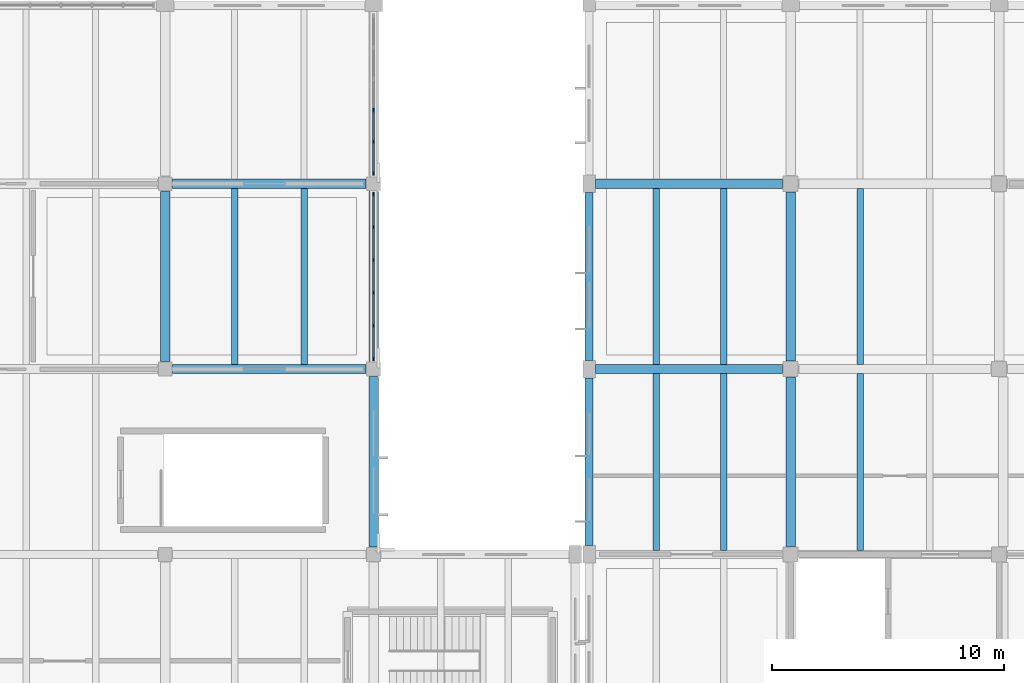
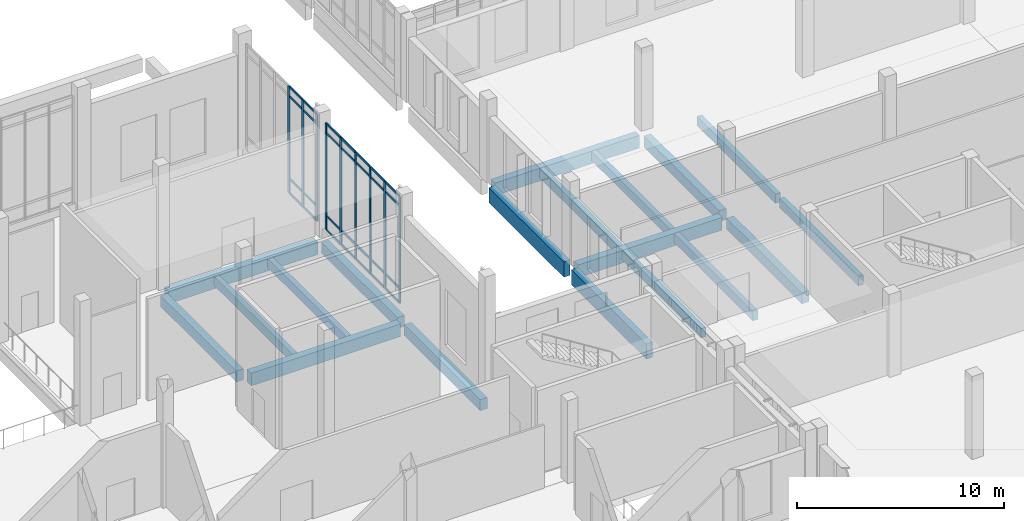
# One storey, part 31 of 110: 37 members, 19 beams, 2 elements without a shape of their own.
"""IFC4 building model written with IfcOpenShell, lengths in metres."""

from ifc_helpers import new_model, si_unit, direction, frame, origin, origin_2d, place, context, subcontext, project, spatial, rectangle, extrude, material, layer, layer_set, material_profile, profile_set, type_object, element, aggregate, save


model = new_model("IFC4")

# Units and contexts
model_context = context("Model", 3, precision=1e-05, world=origin(), true_north=direction((0.0, 1.0)))
body_context = subcontext(model_context, "Body", "Model", "MODEL_VIEW")
ifc_project = project(units=[si_unit("LENGTHUNIT", "METRE"), si_unit("AREAUNIT", "SQUARE_METRE"), si_unit("VOLUMEUNIT", "CUBIC_METRE"), si_unit("PLANEANGLEUNIT", "RADIAN"), si_unit("MASSUNIT", "GRAM", prefix="KILO")], contexts=[model_context])

# Site, building, storey
site_placement = place(None, origin())
site = spatial("IfcSite", under=ifc_project, at=site_placement, CompositionType="ELEMENT")
building_placement = place(site_placement, origin())
building = spatial("IfcBuilding", under=site, at=building_placement, Name="Zacnel Wholesale Market", CompositionType="ELEMENT")
storey_placement = place(building_placement, frame((0.0, 0.0, 6.300048828125)))
storey = spatial("IfcBuildingStorey", under=building, at=storey_placement, Name="L02", CompositionType="ELEMENT", Elevation=6.300048828125)

# Beams
ifc_material_1 = material(Name="Precast concrete C45/55", Category="concrete")
ifc_material_profile_1 = material_profile(ifc_material_1, rectangle(XDim=0.280029296875, YDim=0.550048828125, at=origin_2d()), Name="DT RIB 280x550")
ifc_profile_set_1 = profile_set([ifc_material_profile_1], Name="Precast concrete C45/55")
beam_type_1 = type_object("IfcBeamType", Name="BM-DT550", PredefinedType="JOIST", material=ifc_profile_set_1)
for number, where, z_axis, x_axis, name in (
    (1, (147.199951171875, 24.175048828125, -0.574951171875), (0.0, 1.0, 0.0), (-1.0, 0.0, 0.0), "Precast secondary joist L02-0099"),
    (2, (150.10009765625, 24.175048828125, -0.574951171875), (0.0, 1.0, 0.0), (-1.0, 0.0, 0.0), "Precast secondary joist L02-0100"),
    (3, (156.0, 24.175048828125, -0.574951171875), (0.0, 1.0, 0.0), (-1.0, 0.0, 0.0), "Precast secondary joist L02-0101"),
):
    element("IfcBeam", number, at=place(storey_placement, frame(where, z_axis=z_axis, x_axis=x_axis)), inside=storey, type_object=beam_type_1, Name=name, PredefinedType="JOIST", context=body_context, shape_type="SweptSolid", body=[
        extrude(rectangle(XDim=0.280029296875, YDim=0.550048828125, at=origin_2d()), origin(), (0.0, 0.0, 1.0), 7.625),
    ])
for number, where, z_axis, x_axis, name in (
    (4, (129.0, 32.199951171875, -0.574951171875), (0.0, 1.0, 0.0), (-1.0, 0.0, 0.0), "Precast secondary joist L02-0131"),
    (5, (132.0, 32.199951171875, -0.574951171875), (0.0, 1.0, 0.0), (-1.0, 0.0, 0.0), "Precast secondary joist L02-0132"),
    (6, (147.199951171875, 32.199951171875, -0.574951171875), (0.0, 1.0, 0.0), (-1.0, 0.0, 0.0), "Precast secondary joist L02-0133"),
    (7, (150.10009765625, 32.199951171875, -0.574951171875), (0.0, 1.0, 0.0), (-1.0, 0.0, 0.0), "Precast secondary joist L02-0134"),
    (8, (156.0, 32.199951171875, -0.574951171875), (0.0, 1.0, 0.0), (-1.0, 0.0, 0.0), "Precast secondary joist L02-0135"),
):
    element("IfcBeam", number, at=place(storey_placement, frame(where, z_axis=z_axis, x_axis=x_axis)), inside=storey, type_object=beam_type_1, Name=name, PredefinedType="JOIST", context=body_context, shape_type="SweptSolid", body=[
        extrude(rectangle(XDim=0.280029296875, YDim=0.550048828125, at=origin_2d()), origin(), (0.0, 0.0, 1.0), 7.60009765625),
    ])
ifc_material_2 = material(Name="Precast concrete C45/55", Category="concrete")
ifc_material_profile_2 = material_profile(ifc_material_2, rectangle(XDim=0.39990234375, YDim=0.64990234375, at=origin_2d()), Name="PG 400x650")
ifc_profile_set_2 = profile_set([ifc_material_profile_2], Name="Precast concrete C45/55")
beam_type_2 = type_object("IfcBeamType", Name="BM-PG650", PredefinedType="BEAM", material=ifc_profile_set_2)
for number, where, z_axis, x_axis, name in (
    (9, (126.0, 32.324951171875, -0.625), (0.0, 1.0, 0.0), (-1.0, 0.0, 0.0), "Precast girder Y-0455"),
    (10, (135.0, 24.324951171875, -0.625), (0.0, 1.0, 0.0), (-1.0, 0.0, 0.0), "Precast girder Y-0461"),
    (11, (135.0, 32.324951171875, -0.625), (0.0, 1.0, 0.0), (-1.0, 0.0, 0.0), "Precast girder Y-0462"),
):
    element("IfcBeam", number, at=place(storey_placement, frame(where, z_axis=z_axis, x_axis=x_axis)), inside=storey, type_object=beam_type_2, Name=name, PredefinedType="BEAM", context=body_context, shape_type="SweptSolid", body=[
        extrude(rectangle(XDim=0.39990234375, YDim=0.64990234375, at=origin_2d()), origin(), (0.0, 0.0, 1.0), 7.35009765625),
    ])
for number, where, z_axis, x_axis, name in (
    (12, (153.0, 24.35009765625, -0.625), (0.0, 1.0, 0.0), (-1.0, 0.0, 0.0), "Precast girder Y-0484"),
    (13, (153.0, 32.35009765625, -0.625), (0.0, 1.0, 0.0), (-1.0, 0.0, 0.0), "Precast girder Y-0485"),
):
    element("IfcBeam", number, at=place(storey_placement, frame(where, z_axis=z_axis, x_axis=x_axis)), inside=storey, type_object=beam_type_2, Name=name, PredefinedType="BEAM", context=body_context, shape_type="SweptSolid", body=[
        extrude(rectangle(XDim=0.39990234375, YDim=0.64990234375, at=origin_2d()), origin(), (0.0, 0.0, 1.0), 7.2998046875),
    ])
ifc_material_3 = material(Name="Precast concrete C45/55", Category="concrete")
ifc_material_profile_3 = material_profile(ifc_material_3, rectangle(XDim=0.39990234375, YDim=0.75, at=origin_2d()), Name="PG 400x750")
ifc_profile_set_3 = profile_set([ifc_material_profile_3], Name="Precast concrete C45/55")
beam_type_3 = type_object("IfcBeamType", Name="BM-PG750", PredefinedType="BEAM", material=ifc_profile_set_3)
beam_1_placement = place(storey_placement, frame((126.324951171875, 32.0, -0.675048828125), z_axis=(1.0, 0.0, 0.0), x_axis=(0.0, 1.0, 0.0)))
element("IfcBeam", 14, at=beam_1_placement, inside=storey, type_object=beam_type_3, Name="Precast girder X-0085", PredefinedType="BEAM", context=body_context, shape_type="SweptSolid", body=[
    extrude(rectangle(XDim=0.39990234375, YDim=0.75, at=origin_2d()), origin(), (0.0, 0.0, 1.0), 8.35009765625),
])
beam_2_placement = place(storey_placement, frame((144.574951171875, 32.0, -0.675048828125), z_axis=(1.0, 0.0, 0.0), x_axis=(0.0, 1.0, 0.0)))
element("IfcBeam", 15, at=beam_2_placement, inside=storey, type_object=beam_type_3, Name="Precast girder X-0086", PredefinedType="BEAM", context=body_context, shape_type="SweptSolid", body=[
    extrude(rectangle(XDim=0.39990234375, YDim=0.75, at=origin_2d()), origin(), (0.0, 0.0, 1.0), 8.074951171875),
])
beam_3_placement = place(storey_placement, frame((126.324951171875, 40.0, -0.675048828125), z_axis=(1.0, 0.0, 0.0), x_axis=(0.0, 1.0, 0.0)))
element("IfcBeam", 16, at=beam_3_placement, inside=storey, type_object=beam_type_3, Name="Precast girder X-0106", PredefinedType="BEAM", context=body_context, shape_type="SweptSolid", body=[
    extrude(rectangle(XDim=0.39990234375, YDim=0.75, at=origin_2d()), origin(), (0.0, 0.0, 1.0), 8.35009765625),
])
beam_4_placement = place(storey_placement, frame((144.574951171875, 40.0, -0.675048828125), z_axis=(1.0, 0.0, 0.0), x_axis=(0.0, 1.0, 0.0)))
element("IfcBeam", 17, at=beam_4_placement, inside=storey, type_object=beam_type_3, Name="Precast girder X-0107", PredefinedType="BEAM", context=body_context, shape_type="SweptSolid", body=[
    extrude(rectangle(XDim=0.39990234375, YDim=0.75, at=origin_2d()), origin(), (0.0, 0.0, 1.0), 8.074951171875),
])
ifc_material_4 = material(Name="Precast concrete C45/55", Category="concrete")
ifc_material_profile_4 = material_profile(ifc_material_4, rectangle(XDim=0.35009765625, YDim=0.89990234375, at=origin_2d()), Name="SP 350x900")
ifc_profile_set_4 = profile_set([ifc_material_profile_4], Name="Precast concrete C45/55")
beam_type_4 = type_object("IfcBeamType", Name="BM-SP900", PredefinedType="SPANDREL", material=ifc_profile_set_4)
for number, where, z_axis, x_axis, name in (
    (18, (144.300048828125, 24.375, -0.75), (0.0, 1.0, 0.0), (-1.0, 0.0, 0.0), "Precast girder Y-0472"),
    (19, (144.300048828125, 32.375, -0.75), (0.0, 1.0, 0.0), (-1.0, 0.0, 0.0), "Precast girder Y-0473"),
):
    element("IfcBeam", number, at=place(storey_placement, frame(where, z_axis=z_axis, x_axis=x_axis)), inside=storey, type_object=beam_type_4, Name=name, PredefinedType="SPANDREL", context=body_context, shape_type="SweptSolid", body=[
        extrude(rectangle(XDim=0.35009765625, YDim=0.89990234375, at=origin_2d()), origin(), (0.0, 0.0, 1.0), 7.25),
    ])

# Curtain wall, members
ifc_material_5 = material(Name="Anodised aluminium", Category="aluminium")
ifc_layer = layer(ifc_material_5, 0.179931640625)
ifc_layer_set = layer_set([ifc_layer], Name="Anodised aluminium")
curtain_wall_type = type_object("IfcCurtainWallType", Name="CW-AUCT-5800", PredefinedType="NOTDEFINED", material=ifc_layer_set)
curtain_wall_1_placement = place(storey_placement, origin())
curtain_wall_1 = element("IfcCurtainWall", 20, at=curtain_wall_1_placement, inside=storey, type_object=curtain_wall_type, Name="Curtain wall ENV-R2-CW-L02-014", PredefinedType="NOTDEFINED")
ifc_material_6 = material(Name="Anodised aluminium", Category="aluminium")
ifc_material_profile_5 = material_profile(ifc_material_6, rectangle(XDim=0.06494140625, YDim=0.1650390625, at=origin_2d()), Name="AW-MULLION 65x165")
ifc_profile_set_5 = profile_set([ifc_material_profile_5], Name="Anodised aluminium")
member_type_1 = type_object("IfcMemberType", Name="CWM-MUL-04", PredefinedType="MULLION", material=ifc_profile_set_5)
member_1_placement = place(storey_placement, frame((135.0, 32.449951171875, 0.449951171875), z_axis=(0.0, 0.0, 1.0), x_axis=(1.0, 0.0, 0.0)))
member_1 = element("IfcMember", 21, at=member_1_placement, type_object=member_type_1, Name="ENV-R2-CW-L02-014 mullion 01", PredefinedType="MULLION", context=body_context, shape_type="SweptSolid", body=[
    extrude(rectangle(XDim=0.06494140625, YDim=0.1650390625, at=origin_2d()), origin(), (0.0, 0.0, 1.0), 6.2900390625),
])
member_2_placement = place(storey_placement, frame((135.0, 33.8701171875, 0.449951171875), z_axis=(0.0, 0.0, 1.0), x_axis=(1.0, 0.0, 0.0)))
member_2 = element("IfcMember", 22, at=member_2_placement, type_object=member_type_1, Name="ENV-R2-CW-L02-014 mullion 02", PredefinedType="MULLION", context=body_context, shape_type="SweptSolid", body=[
    extrude(rectangle(XDim=0.06494140625, YDim=0.1650390625, at=origin_2d()), origin(), (0.0, 0.0, 1.0), 6.2900390625),
])
member_3_placement = place(storey_placement, frame((135.0, 35.2900390625, 0.449951171875), z_axis=(0.0, 0.0, 1.0), x_axis=(1.0, 0.0, 0.0)))
member_3 = element("IfcMember", 23, at=member_3_placement, type_object=member_type_1, Name="ENV-R2-CW-L02-014 mullion 03", PredefinedType="MULLION", context=body_context, shape_type="SweptSolid", body=[
    extrude(rectangle(XDim=0.06494140625, YDim=0.1650390625, at=origin_2d()), origin(), (0.0, 0.0, 1.0), 6.2900390625),
])
member_4_placement = place(storey_placement, frame((135.0, 36.7099609375, 0.449951171875), z_axis=(0.0, 0.0, 1.0), x_axis=(1.0, 0.0, 0.0)))
member_4 = element("IfcMember", 24, at=member_4_placement, type_object=member_type_1, Name="ENV-R2-CW-L02-014 mullion 04", PredefinedType="MULLION", context=body_context, shape_type="SweptSolid", body=[
    extrude(rectangle(XDim=0.06494140625, YDim=0.1650390625, at=origin_2d()), origin(), (0.0, 0.0, 1.0), 6.2900390625),
])
member_5_placement = place(storey_placement, frame((135.0, 38.1298828125, 0.449951171875), z_axis=(0.0, 0.0, 1.0), x_axis=(1.0, 0.0, 0.0)))
member_5 = element("IfcMember", 25, at=member_5_placement, type_object=member_type_1, Name="ENV-R2-CW-L02-014 mullion 05", PredefinedType="MULLION", context=body_context, shape_type="SweptSolid", body=[
    extrude(rectangle(XDim=0.06494140625, YDim=0.1650390625, at=origin_2d()), origin(), (0.0, 0.0, 1.0), 6.2900390625),
])
member_6_placement = place(storey_placement, frame((135.0, 39.550048828125, 0.449951171875), z_axis=(0.0, 0.0, 1.0), x_axis=(1.0, 0.0, 0.0)))
member_6 = element("IfcMember", 26, at=member_6_placement, type_object=member_type_1, Name="ENV-R2-CW-L02-014 mullion 06", PredefinedType="MULLION", context=body_context, shape_type="SweptSolid", body=[
    extrude(rectangle(XDim=0.06494140625, YDim=0.1650390625, at=origin_2d()), origin(), (0.0, 0.0, 1.0), 6.2900390625),
])

curtain_wall_2_placement = place(storey_placement, origin())
curtain_wall_2 = element("IfcCurtainWall", 27, at=curtain_wall_2_placement, inside=storey, type_object=curtain_wall_type, Name="Curtain wall ENV-R2-CW-L02-015", PredefinedType="NOTDEFINED")
member_7_placement = place(storey_placement, frame((135.0, 40.449951171875, 0.449951171875), z_axis=(0.0, 0.0, 1.0), x_axis=(1.0, 0.0, 0.0)))
member_7 = element("IfcMember", 28, at=member_7_placement, type_object=member_type_1, Name="ENV-R2-CW-L02-015 mullion 01", PredefinedType="MULLION", context=body_context, shape_type="SweptSolid", body=[
    extrude(rectangle(XDim=0.06494140625, YDim=0.1650390625, at=origin_2d()), origin(), (0.0, 0.0, 1.0), 6.2900390625),
])
member_8_placement = place(storey_placement, frame((135.0, 41.81005859375, 0.449951171875), z_axis=(0.0, 0.0, 1.0), x_axis=(1.0, 0.0, 0.0)))
member_8 = element("IfcMember", 29, at=member_8_placement, type_object=member_type_1, Name="ENV-R2-CW-L02-015 mullion 02", PredefinedType="MULLION", context=body_context, shape_type="SweptSolid", body=[
    extrude(rectangle(XDim=0.06494140625, YDim=0.1650390625, at=origin_2d()), origin(), (0.0, 0.0, 1.0), 6.2900390625),
])
member_9_placement = place(storey_placement, frame((135.0, 43.169921875, 0.449951171875), z_axis=(0.0, 0.0, 1.0), x_axis=(1.0, 0.0, 0.0)))
member_9 = element("IfcMember", 30, at=member_9_placement, type_object=member_type_1, Name="ENV-R2-CW-L02-015 mullion 03", PredefinedType="MULLION", context=body_context, shape_type="SweptSolid", body=[
    extrude(rectangle(XDim=0.06494140625, YDim=0.1650390625, at=origin_2d()), origin(), (0.0, 0.0, 1.0), 6.2900390625),
])

# Member
ifc_material_7 = material(Name="Anodised aluminium", Category="aluminium")
ifc_material_profile_6 = material_profile(ifc_material_7, rectangle(XDim=0.06494140625, YDim=0.125, at=origin_2d()), Name="AW-TRANSOM 65x125")
ifc_profile_set_6 = profile_set([ifc_material_profile_6], Name="Anodised aluminium")
member_type_2 = type_object("IfcMemberType", Name="CWM-TRN-04", PredefinedType="USERDEFINED", material=ifc_profile_set_6)
member_10_placement = place(storey_placement, frame((135.0, 32.485107421875, 0.449951171875), z_axis=(0.0, 1.0, 0.0), x_axis=(-1.0, 0.0, 0.0)))
member_10 = element("IfcMember", 31, at=member_10_placement, type_object=member_type_2, Name="ENV-R2-CW-L02-014 transom 1-1", ObjectType="TRANSOM", PredefinedType="USERDEFINED", context=body_context, shape_type="SweptSolid", body=[
    extrude(rectangle(XDim=0.06494140625, YDim=0.125, at=origin_2d()), origin(), (0.0, 0.0, 1.0), 1.349853515625),
])

member_11_placement = place(storey_placement, frame((135.0, 32.485107421875, 1.300048828125), z_axis=(0.0, 1.0, 0.0), x_axis=(-1.0, 0.0, 0.0)))
member_11 = element("IfcMember", 32, at=member_11_placement, type_object=member_type_2, Name="ENV-R2-CW-L02-014 transom 1-2", ObjectType="TRANSOM", PredefinedType="USERDEFINED", context=body_context, shape_type="SweptSolid", body=[
    extrude(rectangle(XDim=0.06494140625, YDim=0.125, at=origin_2d()), origin(), (0.0, 0.0, 1.0), 1.349853515625),
])

member_12_placement = place(storey_placement, frame((135.0, 32.485107421875, 6.18994140625), z_axis=(0.0, 1.0, 0.0), x_axis=(-1.0, 0.0, 0.0)))
member_12 = element("IfcMember", 33, at=member_12_placement, type_object=member_type_2, Name="ENV-R2-CW-L02-014 transom 1-3", ObjectType="TRANSOM", PredefinedType="USERDEFINED", context=body_context, shape_type="SweptSolid", body=[
    extrude(rectangle(XDim=0.06494140625, YDim=0.125, at=origin_2d()), origin(), (0.0, 0.0, 1.0), 1.349853515625),
])

member_13_placement = place(storey_placement, frame((135.0, 32.485107421875, 6.739990234375), z_axis=(0.0, 1.0, 0.0), x_axis=(-1.0, 0.0, 0.0)))
member_13 = element("IfcMember", 34, at=member_13_placement, type_object=member_type_2, Name="ENV-R2-CW-L02-014 transom 1-4", ObjectType="TRANSOM", PredefinedType="USERDEFINED", context=body_context, shape_type="SweptSolid", body=[
    extrude(rectangle(XDim=0.06494140625, YDim=0.125, at=origin_2d()), origin(), (0.0, 0.0, 1.0), 1.349853515625),
])

member_14_placement = place(storey_placement, frame((135.0, 33.905029296875, 0.449951171875), z_axis=(0.0, 1.0, 0.0), x_axis=(-1.0, 0.0, 0.0)))
member_14 = element("IfcMember", 35, at=member_14_placement, type_object=member_type_2, Name="ENV-R2-CW-L02-014 transom 2-1", ObjectType="TRANSOM", PredefinedType="USERDEFINED", context=body_context, shape_type="SweptSolid", body=[
    extrude(rectangle(XDim=0.06494140625, YDim=0.125, at=origin_2d()), origin(), (0.0, 0.0, 1.0), 1.349853515625),
])

member_15_placement = place(storey_placement, frame((135.0, 33.905029296875, 1.300048828125), z_axis=(0.0, 1.0, 0.0), x_axis=(-1.0, 0.0, 0.0)))
member_15 = element("IfcMember", 36, at=member_15_placement, type_object=member_type_2, Name="ENV-R2-CW-L02-014 transom 2-2", ObjectType="TRANSOM", PredefinedType="USERDEFINED", context=body_context, shape_type="SweptSolid", body=[
    extrude(rectangle(XDim=0.06494140625, YDim=0.125, at=origin_2d()), origin(), (0.0, 0.0, 1.0), 1.349853515625),
])

member_16_placement = place(storey_placement, frame((135.0, 33.905029296875, 6.18994140625), z_axis=(0.0, 1.0, 0.0), x_axis=(-1.0, 0.0, 0.0)))
member_16 = element("IfcMember", 37, at=member_16_placement, type_object=member_type_2, Name="ENV-R2-CW-L02-014 transom 2-3", ObjectType="TRANSOM", PredefinedType="USERDEFINED", context=body_context, shape_type="SweptSolid", body=[
    extrude(rectangle(XDim=0.06494140625, YDim=0.125, at=origin_2d()), origin(), (0.0, 0.0, 1.0), 1.349853515625),
])

member_17_placement = place(storey_placement, frame((135.0, 33.905029296875, 6.739990234375), z_axis=(0.0, 1.0, 0.0), x_axis=(-1.0, 0.0, 0.0)))
member_17 = element("IfcMember", 38, at=member_17_placement, type_object=member_type_2, Name="ENV-R2-CW-L02-014 transom 2-4", ObjectType="TRANSOM", PredefinedType="USERDEFINED", context=body_context, shape_type="SweptSolid", body=[
    extrude(rectangle(XDim=0.06494140625, YDim=0.125, at=origin_2d()), origin(), (0.0, 0.0, 1.0), 1.349853515625),
])

member_18_placement = place(storey_placement, frame((135.0, 35.324951171875, 0.449951171875), z_axis=(0.0, 1.0, 0.0), x_axis=(-1.0, 0.0, 0.0)))
member_18 = element("IfcMember", 39, at=member_18_placement, type_object=member_type_2, Name="ENV-R2-CW-L02-014 transom 3-1", ObjectType="TRANSOM", PredefinedType="USERDEFINED", context=body_context, shape_type="SweptSolid", body=[
    extrude(rectangle(XDim=0.06494140625, YDim=0.125, at=origin_2d()), origin(), (0.0, 0.0, 1.0), 1.35009765625),
])

member_19_placement = place(storey_placement, frame((135.0, 35.324951171875, 1.300048828125), z_axis=(0.0, 1.0, 0.0), x_axis=(-1.0, 0.0, 0.0)))
member_19 = element("IfcMember", 40, at=member_19_placement, type_object=member_type_2, Name="ENV-R2-CW-L02-014 transom 3-2", ObjectType="TRANSOM", PredefinedType="USERDEFINED", context=body_context, shape_type="SweptSolid", body=[
    extrude(rectangle(XDim=0.06494140625, YDim=0.125, at=origin_2d()), origin(), (0.0, 0.0, 1.0), 1.35009765625),
])

member_20_placement = place(storey_placement, frame((135.0, 35.324951171875, 6.18994140625), z_axis=(0.0, 1.0, 0.0), x_axis=(-1.0, 0.0, 0.0)))
member_20 = element("IfcMember", 41, at=member_20_placement, type_object=member_type_2, Name="ENV-R2-CW-L02-014 transom 3-3", ObjectType="TRANSOM", PredefinedType="USERDEFINED", context=body_context, shape_type="SweptSolid", body=[
    extrude(rectangle(XDim=0.06494140625, YDim=0.125, at=origin_2d()), origin(), (0.0, 0.0, 1.0), 1.35009765625),
])

member_21_placement = place(storey_placement, frame((135.0, 35.324951171875, 6.739990234375), z_axis=(0.0, 1.0, 0.0), x_axis=(-1.0, 0.0, 0.0)))
member_21 = element("IfcMember", 42, at=member_21_placement, type_object=member_type_2, Name="ENV-R2-CW-L02-014 transom 3-4", ObjectType="TRANSOM", PredefinedType="USERDEFINED", context=body_context, shape_type="SweptSolid", body=[
    extrude(rectangle(XDim=0.06494140625, YDim=0.125, at=origin_2d()), origin(), (0.0, 0.0, 1.0), 1.35009765625),
])

member_22_placement = place(storey_placement, frame((135.0, 36.7451171875, 0.449951171875), z_axis=(0.0, 1.0, 0.0), x_axis=(-1.0, 0.0, 0.0)))
member_22 = element("IfcMember", 43, at=member_22_placement, type_object=member_type_2, Name="ENV-R2-CW-L02-014 transom 4-1", ObjectType="TRANSOM", PredefinedType="USERDEFINED", context=body_context, shape_type="SweptSolid", body=[
    extrude(rectangle(XDim=0.06494140625, YDim=0.125, at=origin_2d()), origin(), (0.0, 0.0, 1.0), 1.349853515625),
])

member_23_placement = place(storey_placement, frame((135.0, 36.7451171875, 1.300048828125), z_axis=(0.0, 1.0, 0.0), x_axis=(-1.0, 0.0, 0.0)))
member_23 = element("IfcMember", 44, at=member_23_placement, type_object=member_type_2, Name="ENV-R2-CW-L02-014 transom 4-2", ObjectType="TRANSOM", PredefinedType="USERDEFINED", context=body_context, shape_type="SweptSolid", body=[
    extrude(rectangle(XDim=0.06494140625, YDim=0.125, at=origin_2d()), origin(), (0.0, 0.0, 1.0), 1.349853515625),
])

member_24_placement = place(storey_placement, frame((135.0, 36.7451171875, 6.18994140625), z_axis=(0.0, 1.0, 0.0), x_axis=(-1.0, 0.0, 0.0)))
member_24 = element("IfcMember", 45, at=member_24_placement, type_object=member_type_2, Name="ENV-R2-CW-L02-014 transom 4-3", ObjectType="TRANSOM", PredefinedType="USERDEFINED", context=body_context, shape_type="SweptSolid", body=[
    extrude(rectangle(XDim=0.06494140625, YDim=0.125, at=origin_2d()), origin(), (0.0, 0.0, 1.0), 1.349853515625),
])

member_25_placement = place(storey_placement, frame((135.0, 36.7451171875, 6.739990234375), z_axis=(0.0, 1.0, 0.0), x_axis=(-1.0, 0.0, 0.0)))
member_25 = element("IfcMember", 46, at=member_25_placement, type_object=member_type_2, Name="ENV-R2-CW-L02-014 transom 4-4", ObjectType="TRANSOM", PredefinedType="USERDEFINED", context=body_context, shape_type="SweptSolid", body=[
    extrude(rectangle(XDim=0.06494140625, YDim=0.125, at=origin_2d()), origin(), (0.0, 0.0, 1.0), 1.349853515625),
])

member_26_placement = place(storey_placement, frame((135.0, 38.1650390625, 0.449951171875), z_axis=(0.0, 1.0, 0.0), x_axis=(-1.0, 0.0, 0.0)))
member_26 = element("IfcMember", 47, at=member_26_placement, type_object=member_type_2, Name="ENV-R2-CW-L02-014 transom 5-1", ObjectType="TRANSOM", PredefinedType="USERDEFINED", context=body_context, shape_type="SweptSolid", body=[
    extrude(rectangle(XDim=0.06494140625, YDim=0.125, at=origin_2d()), origin(), (0.0, 0.0, 1.0), 1.349853515625),
])

member_27_placement = place(storey_placement, frame((135.0, 38.1650390625, 1.300048828125), z_axis=(0.0, 1.0, 0.0), x_axis=(-1.0, 0.0, 0.0)))
member_27 = element("IfcMember", 48, at=member_27_placement, type_object=member_type_2, Name="ENV-R2-CW-L02-014 transom 5-2", ObjectType="TRANSOM", PredefinedType="USERDEFINED", context=body_context, shape_type="SweptSolid", body=[
    extrude(rectangle(XDim=0.06494140625, YDim=0.125, at=origin_2d()), origin(), (0.0, 0.0, 1.0), 1.349853515625),
])

member_28_placement = place(storey_placement, frame((135.0, 38.1650390625, 6.18994140625), z_axis=(0.0, 1.0, 0.0), x_axis=(-1.0, 0.0, 0.0)))
member_28 = element("IfcMember", 49, at=member_28_placement, type_object=member_type_2, Name="ENV-R2-CW-L02-014 transom 5-3", ObjectType="TRANSOM", PredefinedType="USERDEFINED", context=body_context, shape_type="SweptSolid", body=[
    extrude(rectangle(XDim=0.06494140625, YDim=0.125, at=origin_2d()), origin(), (0.0, 0.0, 1.0), 1.349853515625),
])

member_29_placement = place(storey_placement, frame((135.0, 38.1650390625, 6.739990234375), z_axis=(0.0, 1.0, 0.0), x_axis=(-1.0, 0.0, 0.0)))
member_29 = element("IfcMember", 50, at=member_29_placement, type_object=member_type_2, Name="ENV-R2-CW-L02-014 transom 5-4", ObjectType="TRANSOM", PredefinedType="USERDEFINED", context=body_context, shape_type="SweptSolid", body=[
    extrude(rectangle(XDim=0.06494140625, YDim=0.125, at=origin_2d()), origin(), (0.0, 0.0, 1.0), 1.349853515625),
])

aggregate(curtain_wall_1, [member_1, member_2, member_3, member_4, member_5, member_6, member_10, member_11, member_12, member_13, member_14, member_15, member_16, member_17, member_18, member_19, member_20, member_21, member_22, member_23, member_24, member_25, member_26, member_27, member_28, member_29])

member_30_placement = place(storey_placement, frame((135.0, 40.485107421875, 0.449951171875), z_axis=(0.0, 1.0, 0.0), x_axis=(-1.0, 0.0, 0.0)))
member_30 = element("IfcMember", 51, at=member_30_placement, type_object=member_type_2, Name="ENV-R2-CW-L02-015 transom 1-1", ObjectType="TRANSOM", PredefinedType="USERDEFINED", context=body_context, shape_type="SweptSolid", body=[
    extrude(rectangle(XDim=0.06494140625, YDim=0.125, at=origin_2d()), origin(), (0.0, 0.0, 1.0), 1.289794921875),
])

member_31_placement = place(storey_placement, frame((135.0, 40.485107421875, 1.300048828125), z_axis=(0.0, 1.0, 0.0), x_axis=(-1.0, 0.0, 0.0)))
member_31 = element("IfcMember", 52, at=member_31_placement, type_object=member_type_2, Name="ENV-R2-CW-L02-015 transom 1-2", ObjectType="TRANSOM", PredefinedType="USERDEFINED", context=body_context, shape_type="SweptSolid", body=[
    extrude(rectangle(XDim=0.06494140625, YDim=0.125, at=origin_2d()), origin(), (0.0, 0.0, 1.0), 1.289794921875),
])

member_32_placement = place(storey_placement, frame((135.0, 40.485107421875, 6.18994140625), z_axis=(0.0, 1.0, 0.0), x_axis=(-1.0, 0.0, 0.0)))
member_32 = element("IfcMember", 53, at=member_32_placement, type_object=member_type_2, Name="ENV-R2-CW-L02-015 transom 1-3", ObjectType="TRANSOM", PredefinedType="USERDEFINED", context=body_context, shape_type="SweptSolid", body=[
    extrude(rectangle(XDim=0.06494140625, YDim=0.125, at=origin_2d()), origin(), (0.0, 0.0, 1.0), 1.289794921875),
])

member_33_placement = place(storey_placement, frame((135.0, 40.485107421875, 6.739990234375), z_axis=(0.0, 1.0, 0.0), x_axis=(-1.0, 0.0, 0.0)))
member_33 = element("IfcMember", 54, at=member_33_placement, type_object=member_type_2, Name="ENV-R2-CW-L02-015 transom 1-4", ObjectType="TRANSOM", PredefinedType="USERDEFINED", context=body_context, shape_type="SweptSolid", body=[
    extrude(rectangle(XDim=0.06494140625, YDim=0.125, at=origin_2d()), origin(), (0.0, 0.0, 1.0), 1.289794921875),
])

member_34_placement = place(storey_placement, frame((135.0, 41.844970703125, 0.449951171875), z_axis=(0.0, 1.0, 0.0), x_axis=(-1.0, 0.0, 0.0)))
member_34 = element("IfcMember", 55, at=member_34_placement, type_object=member_type_2, Name="ENV-R2-CW-L02-015 transom 2-1", ObjectType="TRANSOM", PredefinedType="USERDEFINED", context=body_context, shape_type="SweptSolid", body=[
    extrude(rectangle(XDim=0.06494140625, YDim=0.125, at=origin_2d()), origin(), (0.0, 0.0, 1.0), 1.2900390625),
])

member_35_placement = place(storey_placement, frame((135.0, 41.844970703125, 1.300048828125), z_axis=(0.0, 1.0, 0.0), x_axis=(-1.0, 0.0, 0.0)))
member_35 = element("IfcMember", 56, at=member_35_placement, type_object=member_type_2, Name="ENV-R2-CW-L02-015 transom 2-2", ObjectType="TRANSOM", PredefinedType="USERDEFINED", context=body_context, shape_type="SweptSolid", body=[
    extrude(rectangle(XDim=0.06494140625, YDim=0.125, at=origin_2d()), origin(), (0.0, 0.0, 1.0), 1.2900390625),
])

member_36_placement = place(storey_placement, frame((135.0, 41.844970703125, 6.18994140625), z_axis=(0.0, 1.0, 0.0), x_axis=(-1.0, 0.0, 0.0)))
member_36 = element("IfcMember", 57, at=member_36_placement, type_object=member_type_2, Name="ENV-R2-CW-L02-015 transom 2-3", ObjectType="TRANSOM", PredefinedType="USERDEFINED", context=body_context, shape_type="SweptSolid", body=[
    extrude(rectangle(XDim=0.06494140625, YDim=0.125, at=origin_2d()), origin(), (0.0, 0.0, 1.0), 1.2900390625),
])

member_37_placement = place(storey_placement, frame((135.0, 41.844970703125, 6.739990234375), z_axis=(0.0, 1.0, 0.0), x_axis=(-1.0, 0.0, 0.0)))
member_37 = element("IfcMember", 58, at=member_37_placement, type_object=member_type_2, Name="ENV-R2-CW-L02-015 transom 2-4", ObjectType="TRANSOM", PredefinedType="USERDEFINED", context=body_context, shape_type="SweptSolid", body=[
    extrude(rectangle(XDim=0.06494140625, YDim=0.125, at=origin_2d()), origin(), (0.0, 0.0, 1.0), 1.2900390625),
])

aggregate(curtain_wall_2, [member_7, member_8, member_9, member_30, member_31, member_32, member_33, member_34, member_35, member_36, member_37])

save(model, "model.ifc")
